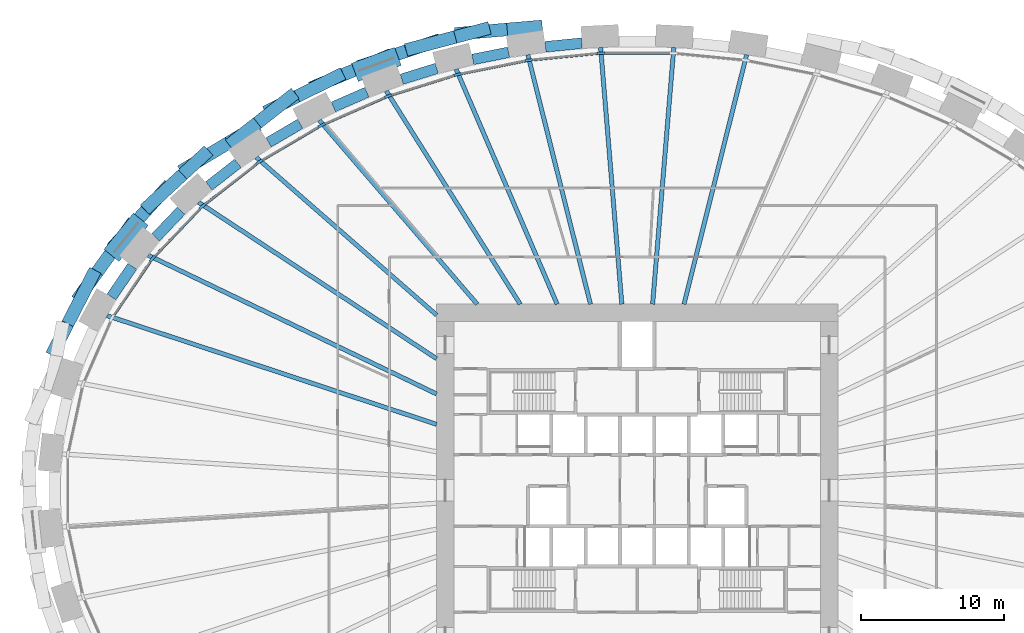
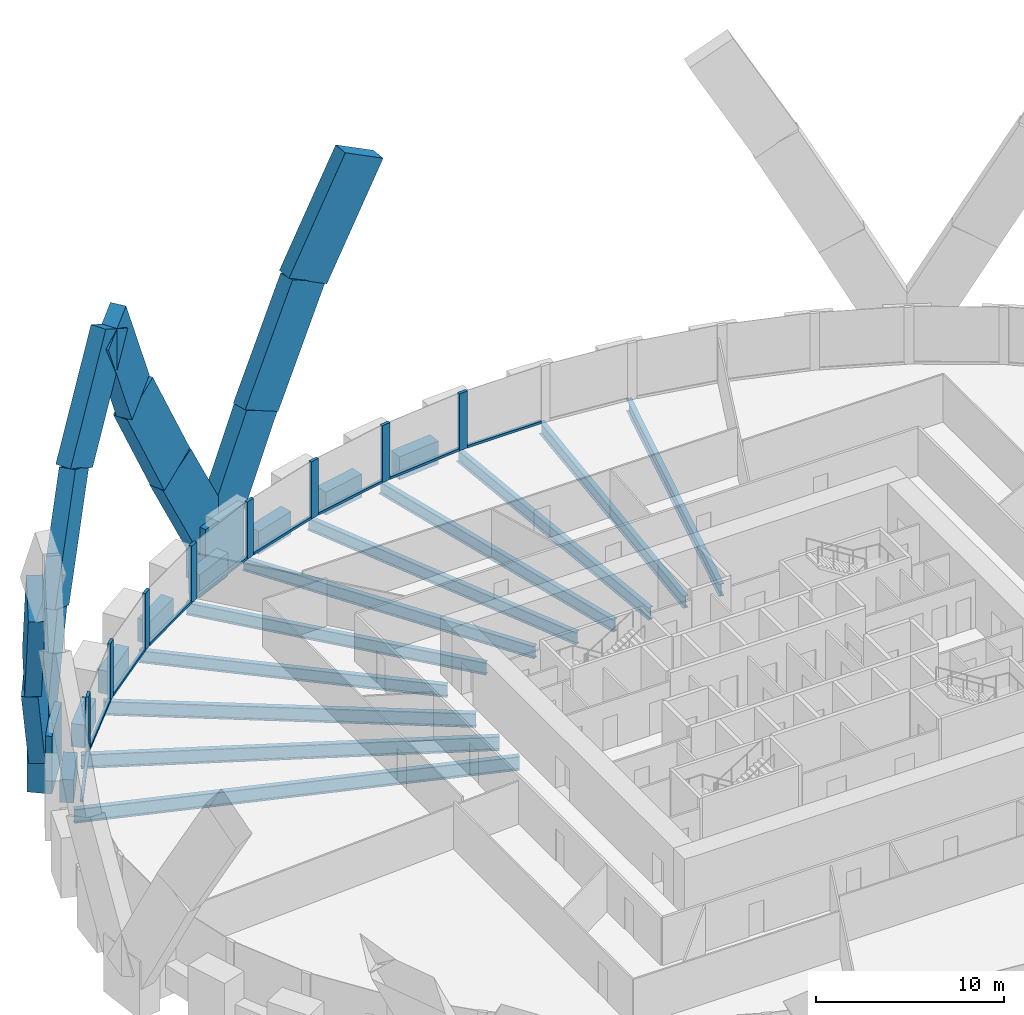
# One storey, part 3 of 12: 30 members, 19 beams, 1 element without a shape of its own.
"""IFC4 building model written with IfcOpenShell, lengths in metres."""

import ifcopenshell
import ifcopenshell.guid

model = None  # the IFC model being written
_history = None  # IfcOwnerHistory: only IFC2X3 demands one
_inside = {}  # id of a spatial element -> (the spatial element, [elements in it])
_under = {}  # id of a project, library or spatial element -> (it, [spatial elements below it])
_declared = {}  # id of a project -> (the project, [libraries it declares])
_typed = {}  # id of a type object -> (the type object, [elements of that type])
_made_of = {}  # id of a material, layer set ... -> (it, [elements and type objects made of it])


def new_model(schema):
    """Start an empty IFC model of exactly this schema.

    Asked for "IFC4X3", IfcOpenShell would pick the latest addendum, in which some entities
    have other attributes; the version numbers below select the first issue.
    IFC2X3 requires an IfcOwnerHistory on every rooted entity: one is made here for all.
    """
    global model, _history
    if schema == "IFC4X3":
        model = ifcopenshell.file(schema_version=(4, 3, 0, 0))
    else:
        model = ifcopenshell.file(schema=schema)
    _inside.clear()
    _under.clear()
    _declared.clear()
    _typed.clear()
    _made_of.clear()
    _history = None
    if model.schema == "IFC2X3":
        org = make("IfcOrganization", Name="unknown")
        user = make(
            "IfcPersonAndOrganization",
            ThePerson=make("IfcPerson", FamilyName="unknown"),
            TheOrganization=org,
        )
        app = make(
            "IfcApplication",
            ApplicationDeveloper=org,
            Version="unknown",
            ApplicationFullName="unknown",
            ApplicationIdentifier="unknown",
        )
        _history = make(
            "IfcOwnerHistory",
            OwningUser=user,
            OwningApplication=app,
            ChangeAction="ADDED",
            CreationDate=0,
        )
    return model


def make(cls, **values):
    """One entity of the class cls with the attributes given. An attribute that is None is left unset."""
    return model.create_entity(
        cls, **{name: value for name, value in values.items() if value is not None}
    )


def rooted(cls, **values):
    """An entity with a GlobalId (a new one), such as an element, a storey or a relation."""
    return make(cls, GlobalId=ifcopenshell.guid.new(), OwnerHistory=_history, **values)


def si_unit(unit_type, name, prefix=None):
    """IfcSIUnit, for example si_unit("LENGTHUNIT", "METRE", prefix="MILLI")."""
    return make("IfcSIUnit", UnitType=unit_type, Prefix=prefix, Name=name)


def assignment(units):
    """IfcUnitAssignment: the units of a project."""
    return None if units is None else make("IfcUnitAssignment", Units=units)


def point(xyz):
    """IfcCartesianPoint."""
    return None if xyz is None else make("IfcCartesianPoint", Coordinates=xyz)


def direction(xyz):
    """IfcDirection."""
    return None if xyz is None else make("IfcDirection", DirectionRatios=xyz)


def frame(location, z_axis=None, x_axis=None):
    """IfcAxis2Placement3D, a coordinate frame: its origin and axes. An axis left out is left unset."""
    return make(
        "IfcAxis2Placement3D",
        Location=point(location),
        Axis=direction(z_axis),
        RefDirection=direction(x_axis),
    )


def frame_2d(location, x_axis=None):
    """IfcAxis2Placement2D, a coordinate frame in the plane: its origin and x axis."""
    return make(
        "IfcAxis2Placement2D", Location=point(location), RefDirection=direction(x_axis)
    )


def origin():
    """The frame at (0, 0, 0) with its axes left unset."""
    return frame((0.0, 0.0, 0.0))


def origin_2d():
    """The frame at (0, 0) in the plane with its x axis left unset."""
    return frame_2d((0.0, 0.0))


def place(relative_to, where):
    """IfcLocalPlacement: puts the frame where relative to a parent placement (None: the world)."""
    return make(
        "IfcLocalPlacement", PlacementRelTo=relative_to, RelativePlacement=where
    )


def context(
    kind, dimensions, precision=None, world=None, true_north=None, identifier=None
):
    """IfcGeometricRepresentationContext, for example the 3D "Model" context."""
    return make(
        "IfcGeometricRepresentationContext",
        ContextIdentifier=identifier,
        ContextType=kind,
        CoordinateSpaceDimension=dimensions,
        Precision=precision,
        WorldCoordinateSystem=world,
        TrueNorth=true_north,
    )


def subcontext(parent, identifier, kind, view, scale=None):
    """IfcGeometricRepresentationSubContext, for example "Body" below "Model"."""
    return make(
        "IfcGeometricRepresentationSubContext",
        ContextIdentifier=identifier,
        ContextType=kind,
        ParentContext=parent,
        TargetScale=scale,
        TargetView=view,
    )


def project(units=None, contexts=None):
    """IfcProject with its units and contexts."""
    return rooted(
        "IfcProject",
        Name="project",
        RepresentationContexts=contexts,
        UnitsInContext=assignment(units),
    )


def spatial(cls, under=None, at=None, **own):
    """A site, building, storey or space (cls), placed at a placement, below another one or the project."""
    s = rooted(cls, ObjectPlacement=at, **own)
    if under is not None:
        _under.setdefault(under.id(), (under, []))[1].append(s)
    return s


def profile(cls, at=None, kind="AREA", **sizes):
    """A parametric profile (cls). Its sizes go by their IFC names, for example OverallWidth=200.0."""
    return make(cls, ProfileType=kind, Position=at, **sizes)


def rectangle(**sizes):
    """IfcRectangleProfileDef."""
    return profile("IfcRectangleProfileDef", **sizes)


def i_section(**sizes):
    """IfcIShapeProfileDef."""
    return profile("IfcIShapeProfileDef", **sizes)


def extrude(swept, where, along, depth):
    """IfcExtrudedAreaSolid: the profile swept, set in the frame where, extruded along a direction by depth."""
    return make(
        "IfcExtrudedAreaSolid",
        SweptArea=swept,
        Position=where,
        ExtrudedDirection=direction(along),
        Depth=depth,
    )


def shape(context_of_items, identifier, shape_type, items):
    """IfcShapeRepresentation: the items that make up one representation, for example the "Body"."""
    return make(
        "IfcShapeRepresentation",
        ContextOfItems=context_of_items,
        RepresentationIdentifier=identifier,
        RepresentationType=shape_type,
        Items=items,
    )


def source(mapping_origin, context_of_items, identifier, shape_type, items):
    """IfcRepresentationMap: a shape defined once, which mapped items show again and again."""
    return make(
        "IfcRepresentationMap",
        MappingOrigin=mapping_origin,
        MappedRepresentation=shape(context_of_items, identifier, shape_type, items),
    )


def transform(
    local_origin,
    x_axis=None,
    y_axis=None,
    z_axis=None,
    scale=None,
    scale2=None,
    scale3=None,
    uniform=True,
):
    """IfcCartesianTransformationOperator3D, or its non-uniform kind. x_axis, y_axis, z_axis: its Axis1, 2, 3."""
    if uniform:
        return make(
            "IfcCartesianTransformationOperator3D",
            Axis1=direction(x_axis),
            Axis2=direction(y_axis),
            LocalOrigin=point(local_origin),
            Scale=scale,
            Axis3=direction(z_axis),
        )
    return make(
        "IfcCartesianTransformationOperator3DnonUniform",
        Axis1=direction(x_axis),
        Axis2=direction(y_axis),
        LocalOrigin=point(local_origin),
        Scale=scale,
        Axis3=direction(z_axis),
        Scale2=scale2,
        Scale3=scale3,
    )


def mapped(mapping_source, mapping_target):
    """IfcMappedItem: shows the shape of a source again, moved by a transform."""
    return make(
        "IfcMappedItem", MappingSource=mapping_source, MappingTarget=mapping_target
    )


def material(Name=None, Category=None):
    """IfcMaterial."""
    return make("IfcMaterial", Name=Name, Category=Category)


def material_profile(
    of_material, cross_section, Name=None, Category=None, Priority=None
):
    """IfcMaterialProfile: a cross section and its material."""
    return make(
        "IfcMaterialProfile",
        Name=Name,
        Material=of_material,
        Profile=cross_section,
        Priority=Priority,
        Category=Category,
    )


def profile_set(profiles, Name=None, composite=None):
    """IfcMaterialProfileSet."""
    return make(
        "IfcMaterialProfileSet",
        Name=Name,
        MaterialProfiles=profiles,
        CompositeProfile=composite,
    )


def made_of(thing, what):
    """Note that an element or type object is made of a material, layer set ...; save() writes the relation."""
    if what is not None:
        _made_of.setdefault(what.id(), (what, []))[1].append(thing)
    return thing


def type_object(cls, material=None, **own):
    """A type object (cls), such as IfcWallType, which elements share."""
    return made_of(rooted(cls, **own), material)


def element(
    cls,
    number,
    at=None,
    inside=None,
    cuts=None,
    type_object=None,
    material=None,
    context=None,
    identifier="Body",
    shape_type=None,
    held_by="IfcProductDefinitionShape",
    body=None,
    shapes=None,
    **own,
):
    """One element of the class cls, such as IfcWall. Its Tag is "e" and its number.

    at: its placement. inside: the storey or other place that contains it. cuts: it is an
    opening in that element (IfcRelVoidsElement). A single representation is given by context,
    identifier, shape_type and body (its items); several are given by shapes. held_by: the class
    of the entity that holds the representations. save() writes the other relations.
    """
    e = rooted(cls, Tag="e%d" % number, ObjectPlacement=at, **own)
    if body is not None:
        shapes = [shape(context, identifier, shape_type, body)]
    if shapes is not None:
        e.Representation = make(held_by, Representations=shapes)
    if inside is not None:
        _inside.setdefault(inside.id(), (inside, []))[1].append(e)
    if cuts is not None:
        rooted(
            "IfcRelVoidsElement", RelatingBuildingElement=cuts, RelatedOpeningElement=e
        )
    if type_object is not None:
        _typed.setdefault(type_object.id(), (type_object, []))[1].append(e)
    return made_of(e, material)


def aggregate(whole, parts):
    """IfcRelAggregates: a whole, such as a stair, and the parts it consists of."""
    return rooted("IfcRelAggregates", RelatingObject=whole, RelatedObjects=parts)


def save(model, path):
    """Write the relations noted so far, then the file.

    IfcRelAggregates (storeys below a building ...), IfcRelContainedInSpatialStructure (elements
    in a storey), IfcRelDefinesByType, IfcRelAssociatesMaterial and IfcRelDeclares: one each for
    every whole, place, type object, material and project.
    """
    for whole, parts in _under.values():
        aggregate(whole, parts)
    for where, things in _inside.values():
        rooted(
            "IfcRelContainedInSpatialStructure",
            RelatedElements=things,
            RelatingStructure=where,
        )
    for kind, things in _typed.values():
        rooted("IfcRelDefinesByType", RelatedObjects=things, RelatingType=kind)
    for what, things in _made_of.values():
        rooted("IfcRelAssociatesMaterial", RelatedObjects=things, RelatingMaterial=what)
    for by, libraries in _declared.values():
        rooted("IfcRelDeclares", RelatingContext=by, RelatedDefinitions=libraries)
    model.write(path)


model = new_model("IFC4")

# Units and contexts
model_context = context("Model", 3, precision=1e-05, world=origin(), true_north=direction((0.0, 1.0)))
body_context = subcontext(model_context, "Body", "Model", "MODEL_VIEW")
ifc_project = project(units=[si_unit("LENGTHUNIT", "METRE"), si_unit("AREAUNIT", "SQUARE_METRE"), si_unit("VOLUMEUNIT", "CUBIC_METRE"), si_unit("PLANEANGLEUNIT", "RADIAN"), si_unit("MASSUNIT", "GRAM", prefix="KILO")], contexts=[model_context])

# Site, building, storey
site_placement = place(None, origin())
site = spatial("IfcSite", under=ifc_project, at=site_placement, CompositionType="ELEMENT")
building_placement = place(site_placement, origin())
building = spatial("IfcBuilding", under=site, at=building_placement, Name="Embergate Tower", CompositionType="ELEMENT")
storey_placement = place(building_placement, frame((0.0, 0.0, 85.39990234375)))
storey = spatial("IfcBuildingStorey", under=building, at=storey_placement, Name="L17", CompositionType="ELEMENT", Elevation=85.39990234375)

# Beams
ifc_material_1 = material(Name="Concrete C70", Category="concrete")
ifc_material_profile_1 = material_profile(ifc_material_1, rectangle(XDim=0.75, YDim=1.5, at=origin_2d()), Name="RC 750x1500")
ifc_profile_set_1 = profile_set([ifc_material_profile_1], Name="Concrete C70")
beam_type_1 = type_object("IfcBeamType", Name="Spandrel beam RC 750x1500 C70", PredefinedType="BEAM", material=ifc_profile_set_1)
shared_shape_1 = source(origin(), body_context, "Body", "SweptSolid", [
    extrude(rectangle(XDim=0.75, YDim=1.5, at=origin_2d()), origin(), (0.0, 0.0, 1.0), 2.574951171875),
])
beam_1_placement = place(storey_placement, frame((-35.238037109375, 15.64306640625, 0.0), z_axis=(-0.562356702599, -0.826894756932, 0.0), x_axis=(0.826894756932, -0.562356702599, 0.0)))
element("IfcBeam", 1, at=beam_1_placement, inside=storey, type_object=beam_type_1, Name="SPN-L17-18", PredefinedType="BEAM", context=body_context, shape_type="MappedRepresentation", body=[
    mapped(shared_shape_1, transform((0.0, 0.0, 0.0))),
])
shared_shape_2 = source(origin(), body_context, "Body", "SweptSolid", [
    extrude(rectangle(XDim=0.75, YDim=1.5, at=origin_2d()), origin(), (0.0, 0.0, 1.0), 2.568115234375),
])
beam_2_placement = place(storey_placement, frame((-31.83203125, 19.52392578125, 0.0), z_axis=(-0.68998268655, -0.723825871506, 0.0), x_axis=(0.723825871506, -0.68998268655, 0.0)))
element("IfcBeam", 2, at=beam_2_placement, inside=storey, type_object=beam_type_1, Name="SPN-L17-17", PredefinedType="BEAM", context=body_context, shape_type="MappedRepresentation", body=[
    mapped(shared_shape_2, transform((0.0, 0.0, 0.0))),
])
shared_shape_3 = source(origin(), body_context, "Body", "SweptSolid", [
    extrude(rectangle(XDim=0.75, YDim=1.5, at=origin_2d()), origin(), (0.0, 0.0, 1.0), 2.560791015625),
])
beam_3_placement = place(storey_placement, frame((-27.8720703125, 22.8291015625, 0.0), z_axis=(-0.788437573921, -0.615114779557, 0.0), x_axis=(0.615114779557, -0.788437573921, 0.0)))
element("IfcBeam", 3, at=beam_3_placement, inside=storey, type_object=beam_type_1, Name="SPN-L17-16", PredefinedType="BEAM", context=body_context, shape_type="MappedRepresentation", body=[
    mapped(shared_shape_3, transform((0.0, 0.0, 0.0))),
])
shared_shape_4 = source(origin(), body_context, "Body", "SweptSolid", [
    extrude(rectangle(XDim=0.75, YDim=1.5, at=origin_2d()), origin(), (0.0, 0.0, 1.0), 2.55517578125),
])
beam_4_placement = place(storey_placement, frame((-23.51904296875, 25.5859375, 0.0), z_axis=(-0.862086455961, -0.506761228241, 0.0), x_axis=(0.506761228241, -0.862086455961, 0.0)))
element("IfcBeam", 4, at=beam_4_placement, inside=storey, type_object=beam_type_1, Name="SPN-L17-15", PredefinedType="BEAM", context=body_context, shape_type="MappedRepresentation", body=[
    mapped(shared_shape_4, transform((0.0, 0.0, 0.0))),
])
shared_shape_5 = source(origin(), body_context, "Body", "SweptSolid", [
    extrude(rectangle(XDim=0.75, YDim=1.5, at=origin_2d()), origin(), (0.0, 0.0, 1.0), 2.552001953125),
])
beam_5_placement = place(storey_placement, frame((-18.864990234375, 27.791015625, 0.0), z_axis=(-0.916139768309, -0.400858983836, 0.0), x_axis=(0.400858983836, -0.916139768309, 0.0)))
element("IfcBeam", 5, at=beam_5_placement, inside=storey, type_object=beam_type_1, Name="SPN-L17-14", PredefinedType="BEAM", context=body_context, shape_type="MappedRepresentation", body=[
    mapped(shared_shape_5, transform((0.0, 0.0, 0.0))),
])
shared_shape_6 = source(origin(), body_context, "Body", "SweptSolid", [
    extrude(rectangle(XDim=0.75, YDim=1.5, at=origin_2d()), origin(), (0.0, 0.0, 1.0), 2.55029296875),
])
beam_6_placement = place(storey_placement, frame((-13.993896484375, 29.4580078125, 0.0), z_axis=(-0.954803055826, -0.297239170678, 0.0), x_axis=(0.297239170678, -0.954803055826, 0.0)))
element("IfcBeam", 6, at=beam_6_placement, inside=storey, type_object=beam_type_1, Name="SPN-L17-13", PredefinedType="BEAM", context=body_context, shape_type="MappedRepresentation", body=[
    mapped(shared_shape_6, transform((0.0, 0.0, 0.0))),
])
shared_shape_7 = source(origin(), body_context, "Body", "SweptSolid", [
    extrude(rectangle(XDim=0.75, YDim=1.5, at=origin_2d()), origin(), (0.0, 0.0, 1.0), 2.546875),
])
beam_7_placement = place(storey_placement, frame((-8.972900390625, 30.58203125, 0.0), z_axis=(-0.980462515934, -0.196706011214, 0.0), x_axis=(0.196706011214, -0.980462515934, 0.0)))
element("IfcBeam", 7, at=beam_7_placement, inside=storey, type_object=beam_type_1, Name="SPN-L17-12", PredefinedType="BEAM", context=body_context, shape_type="MappedRepresentation", body=[
    mapped(shared_shape_7, transform((0.0, 0.0, 0.0))),
])
shared_shape_8 = source(origin(), body_context, "Body", "SweptSolid", [
    extrude(rectangle(XDim=0.75, YDim=1.5, at=origin_2d()), origin(), (0.0, 0.0, 1.0), 2.544189453125),
])
beam_8_placement = place(storey_placement, frame((-3.8701171875, 31.215087890625, 0.0), z_axis=(-0.995198330328, -0.097878921698, 0.0), x_axis=(0.097878921698, -0.995198330328, 0.0)))
element("IfcBeam", 8, at=beam_8_placement, inside=storey, type_object=beam_type_1, Name="SPN-L17-11", PredefinedType="BEAM", context=body_context, shape_type="MappedRepresentation", body=[
    mapped(shared_shape_8, transform((0.0, 0.0, 0.0))),
])
ifc_material_2 = material(Name="Steel Q355B", Category="steel")
ifc_material_profile_2 = material_profile(ifc_material_2, i_section(OverallWidth=0.300048828125, OverallDepth=0.89990234375, WebThickness=0.01611328125, FlangeThickness=0.028076171875, FilletRadius=0.028076171875, at=origin_2d()), Name="HN 900x300x16x28")
ifc_profile_set_2 = profile_set([ifc_material_profile_2], Name="Steel Q355 grade B")
beam_type_2 = type_object("IfcBeamType", Name="Radial girder HN 900x300x16x28", PredefinedType="BEAM", material=ifc_profile_set_2)
shared_shape_9 = source(origin(), body_context, "Body", "SweptSolid", [
    extrude(i_section(OverallWidth=0.300048828125, OverallDepth=0.89990234375, WebThickness=0.01611328125, FlangeThickness=0.028076171875, FilletRadius=0.028076171875, at=origin_2d()), origin(), (0.0, 0.0, 1.0), 24.221435546875),
])
beam_9_placement = place(storey_placement, frame((-37.0029296875, 12.202880859375, -0.64990234375), z_axis=(0.949690422, -0.313190201575, 0.0), x_axis=(0.313190201575, 0.949690422, 0.0)))
element("IfcBeam", 9, at=beam_9_placement, inside=storey, type_object=beam_type_2, Name="GIR-L17-19", PredefinedType="BEAM", context=body_context, shape_type="MappedRepresentation", body=[
    mapped(shared_shape_9, transform((0.0, 0.0, 0.0))),
])
shared_shape_10 = source(origin(), body_context, "Body", "SweptSolid", [
    extrude(i_section(OverallWidth=0.300048828125, OverallDepth=0.89990234375, WebThickness=0.01611328125, FlangeThickness=0.028076171875, FilletRadius=0.028076171875, at=origin_2d()), origin(), (0.0, 0.0, 1.0), 22.343505859375),
])
beam_10_placement = place(storey_placement, frame((-34.135009765625, 16.4208984375, -0.64990234375), z_axis=(0.901156313857, -0.433494288308, 0.0), x_axis=(0.433494288308, 0.901156313857, 0.0)))
element("IfcBeam", 10, at=beam_10_placement, inside=storey, type_object=beam_type_2, Name="GIR-L17-18", PredefinedType="BEAM", context=body_context, shape_type="MappedRepresentation", body=[
    mapped(shared_shape_10, transform((0.0, 0.0, 0.0))),
])
shared_shape_11 = source(origin(), body_context, "Body", "SweptSolid", [
    extrude(i_section(OverallWidth=0.300048828125, OverallDepth=0.89990234375, WebThickness=0.01611328125, FlangeThickness=0.028076171875, FilletRadius=0.028076171875, at=origin_2d()), origin(), (0.0, 0.0, 1.0), 19.8779296875),
])
beam_11_placement = place(storey_placement, frame((-30.613037109375, 20.113037109375, -0.64990234375), z_axis=(0.835753953274, -0.549104115434, 0.0), x_axis=(0.549104115434, 0.835753953274, 0.0)))
element("IfcBeam", 11, at=beam_11_placement, inside=storey, type_object=beam_type_2, Name="GIR-L17-17", PredefinedType="BEAM", context=body_context, shape_type="MappedRepresentation", body=[
    mapped(shared_shape_11, transform((0.0, 0.0, 0.0))),
])
ifc_material_profile_3 = material_profile(ifc_material_2, i_section(OverallWidth=0.300048828125, OverallDepth=0.800048828125, WebThickness=0.013916015625, FlangeThickness=0.02587890625, FilletRadius=0.028076171875, at=origin_2d()), Name="HN 800x300x14x26")
ifc_profile_set_3 = profile_set([ifc_material_profile_3], Name="Steel Q355 grade B")
beam_type_3 = type_object("IfcBeamType", Name="Radial girder HN 800x300x14x26", PredefinedType="BEAM", material=ifc_profile_set_3)
shared_shape_12 = source(origin(), body_context, "Body", "SweptSolid", [
    extrude(i_section(OverallWidth=0.300048828125, OverallDepth=0.800048828125, WebThickness=0.013916015625, FlangeThickness=0.02587890625, FilletRadius=0.028076171875, at=origin_2d()), origin(), (0.0, 0.0, 1.0), 16.72509765625),
])
beam_12_placement = place(storey_placement, frame((-26.590087890625, 23.2529296875, -0.599853515625), z_axis=(0.752763844536, -0.658290660999, 0.0), x_axis=(0.658290660999, 0.752763844536, 0.0)))
element("IfcBeam", 12, at=beam_12_placement, inside=storey, type_object=beam_type_3, Name="GIR-L17-16", PredefinedType="BEAM", context=body_context, shape_type="MappedRepresentation", body=[
    mapped(shared_shape_12, transform((0.0, 0.0, 0.0))),
])
shared_shape_13 = source(origin(), body_context, "Body", "SweptSolid", [
    extrude(i_section(OverallWidth=0.300048828125, OverallDepth=0.800048828125, WebThickness=0.013916015625, FlangeThickness=0.02587890625, FilletRadius=0.028076171875, at=origin_2d()), origin(), (0.0, 0.0, 1.0), 16.924560546875),
])
beam_13_placement = place(storey_placement, frame((-22.18994140625, 25.840087890625, -0.599853515625), z_axis=(0.651475377488, -0.758669778314, 0.0), x_axis=(0.758669778314, 0.651475377488, 0.0)))
element("IfcBeam", 13, at=beam_13_placement, inside=storey, type_object=beam_type_3, Name="GIR-L17-15", PredefinedType="BEAM", context=body_context, shape_type="MappedRepresentation", body=[
    mapped(shared_shape_13, transform((0.0, 0.0, 0.0))),
])
shared_shape_14 = source(origin(), body_context, "Body", "SweptSolid", [
    extrude(i_section(OverallWidth=0.300048828125, OverallDepth=0.800048828125, WebThickness=0.013916015625, FlangeThickness=0.02587890625, FilletRadius=0.028076171875, at=origin_2d()), origin(), (0.0, 0.0, 1.0), 17.578125),
])
beam_14_placement = place(storey_placement, frame((-17.512939453125, 27.885986328125, -0.599853515625), z_axis=(0.53184411478, -0.846842274319, 0.0), x_axis=(0.846842274319, 0.53184411478, 0.0)))
element("IfcBeam", 14, at=beam_14_placement, inside=storey, type_object=beam_type_3, Name="GIR-L17-14", PredefinedType="BEAM", context=body_context, shape_type="MappedRepresentation", body=[
    mapped(shared_shape_14, transform((0.0, 0.0, 0.0))),
])
shared_shape_15 = source(origin(), body_context, "Body", "SweptSolid", [
    extrude(i_section(OverallWidth=0.300048828125, OverallDepth=0.800048828125, WebThickness=0.013916015625, FlangeThickness=0.02587890625, FilletRadius=0.028076171875, at=origin_2d()), origin(), (0.0, 0.0, 1.0), 17.854248046875),
])
beam_15_placement = place(storey_placement, frame((-12.638916015625, 29.403076171875, -0.599853515625), z_axis=(0.394919154383, -0.918715876374, 0.0), x_axis=(0.918715876374, 0.394919154383, 0.0)))
element("IfcBeam", 15, at=beam_15_placement, inside=storey, type_object=beam_type_3, Name="GIR-L17-13", PredefinedType="BEAM", context=body_context, shape_type="MappedRepresentation", body=[
    mapped(shared_shape_15, transform((0.0, 0.0, 0.0))),
])
shared_shape_16 = source(origin(), body_context, "Body", "SweptSolid", [
    extrude(i_section(OverallWidth=0.300048828125, OverallDepth=0.800048828125, WebThickness=0.013916015625, FlangeThickness=0.02587890625, FilletRadius=0.028076171875, at=origin_2d()), origin(), (0.0, 0.0, 1.0), 17.947265625),
])
for number, where, z_axis, x_axis, name in (
    (16, (7.633056640625, 30.406982421875, -0.599853515625), (-0.243498938638, -0.969901163461, 0.0), (0.969901163461, -0.243498938638, 0.0), "GIR-L17-09"),
    (17, (-7.633056640625, 30.406982421875, -0.599853515625), (0.243498938638, -0.969901163461, 0.0), (0.969901163461, 0.243498938638, 0.0), "GIR-L17-12"),
):
    element("IfcBeam", number, at=place(storey_placement, frame(where, z_axis=z_axis, x_axis=x_axis)), inside=storey, type_object=beam_type_3, Name=name, PredefinedType="BEAM", context=body_context, shape_type="MappedRepresentation", body=[
        mapped(shared_shape_16, transform((0.0, 0.0, 0.0))),
    ])
shared_shape_17 = source(origin(), body_context, "Body", "SweptSolid", [
    extrude(i_section(OverallWidth=0.300048828125, OverallDepth=0.800048828125, WebThickness=0.013916015625, FlangeThickness=0.02587890625, FilletRadius=0.028076171875, at=origin_2d()), origin(), (0.0, 0.0, 1.0), 17.968017578125),
])
for number, where, z_axis, x_axis, name in (
    (18, (2.552978515625, 30.906982421875, -0.599853515625), (-0.082313416138, -0.996606492816, 0.0), (0.996606492816, -0.082313416138, 0.0), "GIR-L17-10"),
    (19, (-2.552978515625, 30.906982421875, -0.599853515625), (0.082313416138, -0.996606492816, 0.0), (0.996606492816, 0.082313416138, 0.0), "GIR-L17-11"),
):
    element("IfcBeam", number, at=place(storey_placement, frame(where, z_axis=z_axis, x_axis=x_axis)), inside=storey, type_object=beam_type_3, Name=name, PredefinedType="BEAM", context=body_context, shape_type="MappedRepresentation", body=[
        mapped(shared_shape_17, transform((0.0, 0.0, 0.0))),
    ])

# Members
ifc_material_profile_4 = material_profile(ifc_material_1, rectangle(XDim=1.35009765625, YDim=3.199951171875, at=origin_2d()), Name="RC 1350x3200")
ifc_profile_set_4 = profile_set([ifc_material_profile_4], Name="Concrete C70")
member_type_1 = type_object("IfcMemberType", Name="Lattice node block RC 1350x3200", PredefinedType="POST", material=ifc_profile_set_4)
shared_shape_18 = source(origin(), body_context, "Body", "SweptSolid", [
    extrude(rectangle(XDim=1.35009765625, YDim=3.199951171875, at=origin_2d()), origin(), (0.0, 0.0, 1.0), 3.699951171875),
])
member_1_placement = place(storey_placement, frame((-18.200927734375, 29.737060546875, -1.849853515625), z_axis=(0.0, 0.0, 1.0), x_axis=(-0.348343015724, 0.93736713373, 0.0)))
element("IfcMember", 20, at=member_1_placement, inside=storey, type_object=member_type_1, Name="NOD-L17-14", PredefinedType="POST", context=body_context, shape_type="MappedRepresentation", body=[
    mapped(shared_shape_18, transform((0.0, 0.0, 0.0))),
])
ifc_material_profile_5 = material_profile(ifc_material_1, rectangle(XDim=1.35009765625, YDim=3.25, at=origin_2d()), Name="RC 1350x3250")
ifc_profile_set_5 = profile_set([ifc_material_profile_5], Name="Concrete C70")
member_type_2 = type_object("IfcMemberType", Name="Lattice node block RC 1350x3250", PredefinedType="POST", material=ifc_profile_set_5)
shared_shape_19 = source(origin(), body_context, "Body", "SweptSolid", [
    extrude(rectangle(XDim=1.35009765625, YDim=3.25, at=origin_2d()), origin(), (0.0, 0.0, 1.0), 3.75),
])
member_2_placement = place(storey_placement, frame((-35.6669921875, 17.6669921875, -1.875), z_axis=(0.0, 0.0, 1.0), x_axis=(-0.775914301615, 0.630838328377, 0.0)))
element("IfcMember", 21, at=member_2_placement, inside=storey, type_object=member_type_2, Name="NOD-L17-18", PredefinedType="POST", context=body_context, shape_type="MappedRepresentation", body=[
    mapped(shared_shape_19, transform((0.0, 0.0, 0.0))),
])
ifc_material_profile_6 = material_profile(ifc_material_1, rectangle(XDim=0.89990234375, YDim=2.800048828125, at=origin_2d()), Name="RC 900x2800")
ifc_profile_set_6 = profile_set([ifc_material_profile_6], Name="Concrete C70")
member_type_3 = type_object("IfcMemberType", Name="Lattice diagonal terracotta-faced RC 900x2800", PredefinedType="BRACE", material=ifc_profile_set_6)
shared_shape_20 = source(origin(), body_context, "Body", "SweptSolid", [
    extrude(rectangle(XDim=0.89990234375, YDim=2.800048828125, at=origin_2d()), origin(), (0.0, 0.0, 1.0), 7.5693359375),
])
member_3_placement = place(storey_placement, frame((-18.280029296875, 29.947998046875, 0.0), z_axis=(0.441648827596, 0.146366930521, 0.88516836519), x_axis=(-0.314584354566, 0.949229521171, 0.0)))
element("IfcMember", 22, at=member_3_placement, inside=storey, type_object=member_type_3, Name="BRC-L17-14-12-S00", PredefinedType="BRACE", context=body_context, shape_type="MappedRepresentation", body=[
    mapped(shared_shape_20, transform((0.0, 0.0, 0.0))),
])
shared_shape_21 = source(origin(), body_context, "Body", "SweptSolid", [
    extrude(rectangle(XDim=0.89990234375, YDim=2.800048828125, at=origin_2d()), origin(), (0.0, 0.0, 1.0), 7.58544921875),
])
member_4_placement = place(storey_placement, frame((-14.93701171875, 31.055908203125, 6.7001953125), z_axis=(0.453240721789, 0.119988738164, 0.883275467125), x_axis=(-0.255918976025, 0.966698235082, 0.0)))
element("IfcMember", 23, at=member_4_placement, inside=storey, type_object=member_type_3, Name="BRC-L17-14-12-S01", PredefinedType="BRACE", context=body_context, shape_type="MappedRepresentation", body=[
    mapped(shared_shape_21, transform((0.0, 0.0, 0.0))),
])
shared_shape_22 = source(origin(), body_context, "Body", "SweptSolid", [
    extrude(rectangle(XDim=0.89990234375, YDim=2.800048828125, at=origin_2d()), origin(), (0.0, 0.0, 1.0), 7.6337890625),
])
member_5_placement = place(storey_placement, frame((-11.4990234375, 31.966064453125, 13.400146484375), z_axis=(0.477487625233, 0.041128538918, 0.877675344894), x_axis=(-0.085817533798, 0.996310870609, 0.0)))
element("IfcMember", 24, at=member_5_placement, inside=storey, type_object=member_type_3, Name="BRC-L17-14-12-S02", PredefinedType="BRACE", context=body_context, shape_type="MappedRepresentation", body=[
    mapped(shared_shape_22, transform((0.0, 0.0, 0.0))),
])
shared_shape_23 = source(origin(), body_context, "Body", "SweptSolid", [
    extrude(rectangle(XDim=0.89990234375, YDim=2.800048828125, at=origin_2d()), origin(), (0.0, 0.0, 1.0), 7.623779296875),
])
member_6_placement = place(storey_placement, frame((-18.280029296875, 29.947998046875, 0.0), z_axis=(-0.440574462446, -0.183108357048, 0.878843258277), x_axis=(0.383785973195, -0.923422074015, 0.0)))
element("IfcMember", 25, at=member_6_placement, inside=storey, type_object=member_type_3, Name="BRC-L17-14-16-S00", PredefinedType="BRACE", context=body_context, shape_type="MappedRepresentation", body=[
    mapped(shared_shape_23, transform((0.0, 0.0, 0.0))),
])
shared_shape_24 = source(origin(), body_context, "Body", "SweptSolid", [
    extrude(rectangle(XDim=0.89990234375, YDim=2.800048828125, at=origin_2d()), origin(), (0.0, 0.0, 1.0), 7.6015625),
])
member_7_placement = place(storey_placement, frame((-21.638916015625, 28.552001953125, 6.7001953125), z_axis=(-0.422695725194, -0.210882161813, 0.881394938567), x_axis=(0.446424733409, -0.894821187389, 0.0)))
element("IfcMember", 26, at=member_7_placement, inside=storey, type_object=member_type_3, Name="BRC-L17-14-16-S01", PredefinedType="BRACE", context=body_context, shape_type="MappedRepresentation", body=[
    mapped(shared_shape_24, transform((0.0, 0.0, 0.0))),
])
shared_shape_25 = source(origin(), body_context, "Body", "SweptSolid", [
    extrude(rectangle(XDim=0.89990234375, YDim=2.800048828125, at=origin_2d()), origin(), (0.0, 0.0, 1.0), 7.4912109375),
])
member_8_placement = place(storey_placement, frame((-24.85205078125, 26.948974609375, 13.400146484375), z_axis=(-0.352398367643, -0.275517969116, 0.89437421652), x_axis=(0.615931009922, -0.787800095847, 0.0)))
element("IfcMember", 27, at=member_8_placement, inside=storey, type_object=member_type_3, Name="BRC-L17-14-16-S02", PredefinedType="BRACE", context=body_context, shape_type="MappedRepresentation", body=[
    mapped(shared_shape_25, transform((0.0, 0.0, 0.0))),
])
shared_shape_26 = source(origin(), body_context, "Body", "SweptSolid", [
    extrude(rectangle(XDim=0.89990234375, YDim=2.800048828125, at=origin_2d()), origin(), (0.0, 0.0, 1.0), 7.5791015625),
])
member_9_placement = place(storey_placement, frame((-35.841064453125, 17.80908203125, 0.0), z_axis=(0.313357289394, 0.346857657504, 0.884023175383), x_axis=(-0.742031871729, 0.670364603286, 0.0)))
element("IfcMember", 28, at=member_9_placement, inside=storey, type_object=member_type_3, Name="BRC-L17-18-16-S00", PredefinedType="BRACE", context=body_context, shape_type="MappedRepresentation", body=[
    mapped(shared_shape_26, transform((0.0, 0.0, 0.0))),
])
shared_shape_27 = source(origin(), body_context, "Body", "SweptSolid", [
    extrude(rectangle(XDim=0.89990234375, YDim=2.800048828125, at=origin_2d()), origin(), (0.0, 0.0, 1.0), 7.61083984375),
])
member_10_placement = place(storey_placement, frame((-33.466064453125, 20.43798828125, 6.7001953125), z_axis=(0.348462393358, 0.321901879531, 0.880314228199), x_axis=(-0.678558091992, 0.734546741734, 0.0)))
element("IfcMember", 29, at=member_10_placement, inside=storey, type_object=member_type_3, Name="BRC-L17-18-16-S01", PredefinedType="BRACE", context=body_context, shape_type="MappedRepresentation", body=[
    mapped(shared_shape_27, transform((0.0, 0.0, 0.0))),
])
shared_shape_28 = source(origin(), body_context, "Body", "SweptSolid", [
    extrude(rectangle(XDim=0.89990234375, YDim=2.800048828125, at=origin_2d()), origin(), (0.0, 0.0, 1.0), 7.740478515625),
])
member_11_placement = place(storey_placement, frame((-30.81396484375, 22.887939453125, 13.400146484375), z_axis=(0.429180743858, 0.258006796851, 0.86558441638), x_axis=(-0.515227319823, 0.85705356245, 0.0)))
element("IfcMember", 30, at=member_11_placement, inside=storey, type_object=member_type_3, Name="BRC-L17-18-16-S02", PredefinedType="BRACE", context=body_context, shape_type="MappedRepresentation", body=[
    mapped(shared_shape_28, transform((0.0, 0.0, 0.0))),
])
shared_shape_29 = source(origin(), body_context, "Body", "SweptSolid", [
    extrude(rectangle(XDim=0.89990234375, YDim=2.800048828125, at=origin_2d()), origin(), (0.0, 0.0, 1.0), 8.93505859375),
])
member_12_placement = place(storey_placement, frame((-35.841064453125, 17.80908203125, 0.0), z_axis=(-0.284936759365, -0.395873012052, 0.872980871206), x_axis=(0.811623586829, -0.584180753965, 0.0)))
element("IfcMember", 31, at=member_12_placement, inside=storey, type_object=member_type_3, Name="BRC-L17-18-20-S00", PredefinedType="BRACE", context=body_context, shape_type="MappedRepresentation", body=[
    mapped(shared_shape_29, transform((0.0, 0.0, 0.0))),
])
shared_shape_30 = source(origin(), body_context, "Body", "SweptSolid", [
    extrude(rectangle(XDim=0.89990234375, YDim=2.800048828125, at=origin_2d()), origin(), (0.0, 0.0, 1.0), 8.85693359375),
])
member_13_placement = place(storey_placement, frame((-38.386962890625, 14.27197265625, 7.800048828125), z_axis=(-0.216768243245, -0.42124266191, 0.880662335125), x_axis=(0.889176891153, -0.457563608954, 0.0)))
element("IfcMember", 32, at=member_13_placement, inside=storey, type_object=member_type_3, Name="BRC-L17-18-20-S01", PredefinedType="BRACE", context=body_context, shape_type="MappedRepresentation", body=[
    mapped(shared_shape_30, transform((0.0, 0.0, 0.0))),
])

# Curtain wall, members
ifc_material_3 = material(Name="Aluminium and glass", Category="aluminium")
curtain_wall_type = type_object("IfcCurtainWallType", Name="Recessed office glazing", PredefinedType="NOTDEFINED", material=ifc_material_3)
curtain_wall_placement = place(storey_placement, origin())
curtain_wall = element("IfcCurtainWall", 33, at=curtain_wall_placement, inside=storey, type_object=curtain_wall_type, Name="Recessed office glazing ring", ObjectType="RECESSED OFFICE GLAZING", PredefinedType="USERDEFINED")
ifc_material_4 = material(Name="Aluminium, thermally broken", Category="aluminium")
ifc_material_profile_7 = material_profile(ifc_material_4, rectangle(XDim=0.179931640625, YDim=0.52001953125, at=origin_2d()), Name="AL 520x180")
ifc_profile_set_7 = profile_set([ifc_material_profile_7], Name="Aluminium, thermally broken")
member_type_4 = type_object("IfcMemberType", Name="Office mullion", PredefinedType="MULLION", material=ifc_profile_set_7)
shared_shape_31 = source(origin(), body_context, "Body", "SweptSolid", [
    extrude(rectangle(XDim=0.179931640625, YDim=0.52001953125, at=origin_2d()), origin(), (0.0, 0.0, 1.0), 3.7001953125),
])
member_14_placement = place(storey_placement, frame((-2.53369140625, 30.51708984375, 0.0), z_axis=(0.0, 0.0, 1.0), x_axis=(0.048971796621, -0.998800161762, 0.0)))
member_14 = element("IfcMember", 34, at=member_14_placement, type_object=member_type_4, Name="CW mullion 12", PredefinedType="MULLION", context=body_context, shape_type="MappedRepresentation", body=[
    mapped(shared_shape_31, transform((0.0, 0.0, 0.0))),
])
member_15_placement = place(storey_placement, frame((-7.576171875, 30.021484375, 0.0), z_axis=(0.0, 0.0, 1.0), x_axis=(0.147412382818, -0.989075118174, 0.0)))
member_15 = element("IfcMember", 35, at=member_15_placement, type_object=member_type_4, Name="CW mullion 13", PredefinedType="MULLION", context=body_context, shape_type="MappedRepresentation", body=[
    mapped(shared_shape_31, transform((0.0, 0.0, 0.0))),
])
member_16_placement = place(storey_placement, frame((-12.54296875, 29.025390625, 0.0), z_axis=(0.0, 0.0, 1.0), x_axis=(0.24731188137, -0.968935928394, 0.0)))
member_16 = element("IfcMember", 36, at=member_16_placement, type_object=member_type_4, Name="CW mullion 14", PredefinedType="MULLION", context=body_context, shape_type="MappedRepresentation", body=[
    mapped(shared_shape_31, transform((0.0, 0.0, 0.0))),
])
member_17_placement = place(storey_placement, frame((-17.377197265625, 27.519775390625, 0.0), z_axis=(0.0, 0.0, 1.0), x_axis=(0.349502682851, -0.936935363128, 0.0)))
member_17 = element("IfcMember", 37, at=member_17_placement, type_object=member_type_4, Name="CW mullion 15", PredefinedType="MULLION", context=body_context, shape_type="MappedRepresentation", body=[
    mapped(shared_shape_31, transform((0.0, 0.0, 0.0))),
])
member_18_placement = place(storey_placement, frame((-22.013427734375, 25.49267578125, 0.0), z_axis=(0.0, 0.0, 1.0), x_axis=(0.454511380526, -0.890740930334, 0.0)))
member_18 = element("IfcMember", 38, at=member_18_placement, type_object=member_type_4, Name="CW mullion 16", PredefinedType="MULLION", context=body_context, shape_type="MappedRepresentation", body=[
    mapped(shared_shape_31, transform((0.0, 0.0, 0.0))),
])
member_19_placement = place(storey_placement, frame((-26.37158203125, 22.930419921875, 0.0), z_axis=(0.0, 0.0, 1.0), x_axis=(0.562217618544, -0.826989328467, 0.0)))
member_19 = element("IfcMember", 39, at=member_19_placement, type_object=member_type_4, Name="CW mullion 17", PredefinedType="MULLION", context=body_context, shape_type="MappedRepresentation", body=[
    mapped(shared_shape_31, transform((0.0, 0.0, 0.0))),
])
member_20_placement = place(storey_placement, frame((-30.352294921875, 19.823486328125, 0.0), z_axis=(0.0, 0.0, 1.0), x_axis=(0.671229121411, -0.741249935292, 0.0)))
member_20 = element("IfcMember", 40, at=member_20_placement, type_object=member_type_4, Name="CW mullion 18", PredefinedType="MULLION", context=body_context, shape_type="MappedRepresentation", body=[
    mapped(shared_shape_31, transform((0.0, 0.0, 0.0))),
])
member_21_placement = place(storey_placement, frame((-33.831787109375, 16.1748046875, 0.0), z_axis=(0.0, 0.0, 1.0), x_axis=(0.777875854755, -0.628417977615, 0.0)))
member_21 = element("IfcMember", 41, at=member_21_placement, type_object=member_type_4, Name="CW mullion 19", PredefinedType="MULLION", context=body_context, shape_type="MappedRepresentation", body=[
    mapped(shared_shape_31, transform((0.0, 0.0, 0.0))),
])
ifc_material_profile_8 = material_profile(ifc_material_4, rectangle(XDim=0.179931640625, YDim=0.14990234375, at=origin_2d()), Name="AL 150x180")
ifc_profile_set_8 = profile_set([ifc_material_profile_8], Name="Aluminium, thermally broken")
member_type_5 = type_object("IfcMemberType", Name="Office sill transom", PredefinedType="USERDEFINED", material=ifc_profile_set_8)
shared_shape_32 = source(origin(), body_context, "Body", "SweptSolid", [
    extrude(rectangle(XDim=0.179931640625, YDim=0.14990234375, at=origin_2d()), origin(), (0.0, 0.0, 1.0), 4.529296875),
])
member_22_placement = place(storey_placement, frame((-26.57666015625, 22.7705078125, 0.0751953125), z_axis=(-0.788306218653, -0.615283110148, 0.0), x_axis=(0.615283110148, -0.788306218653, 0.0)))
member_22 = element("IfcMember", 42, at=member_22_placement, type_object=member_type_5, Name="CW transom 17.1", ObjectType="TRANSOM", PredefinedType="USERDEFINED", context=body_context, shape_type="MappedRepresentation", body=[
    mapped(shared_shape_32, transform((0.0, 0.0, 0.0))),
])
shared_shape_33 = source(origin(), body_context, "Body", "SweptSolid", [
    extrude(rectangle(XDim=0.179931640625, YDim=0.14990234375, at=origin_2d()), origin(), (0.0, 0.0, 1.0), 4.51318359375),
])
member_23_placement = place(storey_placement, frame((-33.97802734375, 15.9599609375, 0.0751953125), z_axis=(-0.562329256749, -0.82691342171, 0.0), x_axis=(0.82691342171, -0.562329256749, 0.0)))
member_23 = element("IfcMember", 43, at=member_23_placement, type_object=member_type_5, Name="CW transom 19.1", ObjectType="TRANSOM", PredefinedType="USERDEFINED", context=body_context, shape_type="MappedRepresentation", body=[
    mapped(shared_shape_33, transform((0.0, 0.0, 0.0))),
])
shared_shape_34 = source(origin(), body_context, "Body", "SweptSolid", [
    extrude(rectangle(XDim=0.179931640625, YDim=0.14990234375, at=origin_2d()), origin(), (0.0, 0.0, 1.0), 4.52197265625),
])
member_24_placement = place(storey_placement, frame((-30.531494140625, 19.635498046875, 0.0751953125), z_axis=(-0.690144384651, -0.723671699277, 0.0), x_axis=(0.723671699277, -0.690144384651, 0.0)))
member_24 = element("IfcMember", 44, at=member_24_placement, type_object=member_type_5, Name="CW transom 18.1", ObjectType="TRANSOM", PredefinedType="USERDEFINED", context=body_context, shape_type="MappedRepresentation", body=[
    mapped(shared_shape_34, transform((0.0, 0.0, 0.0))),
])
shared_shape_35 = source(origin(), body_context, "Body", "SweptSolid", [
    extrude(rectangle(XDim=0.179931640625, YDim=0.14990234375, at=origin_2d()), origin(), (0.0, 0.0, 1.0), 4.535400390625),
])
member_25_placement = place(storey_placement, frame((-22.23779296875, 25.36083984375, 0.0751953125), z_axis=(-0.862028298447, -0.506860151004, 0.0), x_axis=(0.506860151004, -0.862028298447, 0.0)))
member_25 = element("IfcMember", 45, at=member_25_placement, type_object=member_type_5, Name="CW transom 16.1", ObjectType="TRANSOM", PredefinedType="USERDEFINED", context=body_context, shape_type="MappedRepresentation", body=[
    mapped(shared_shape_35, transform((0.0, 0.0, 0.0))),
])
shared_shape_36 = source(origin(), body_context, "Body", "SweptSolid", [
    extrude(rectangle(XDim=0.179931640625, YDim=0.14990234375, at=origin_2d()), origin(), (0.0, 0.0, 1.0), 4.540283203125),
])
member_26_placement = place(storey_placement, frame((-17.615478515625, 27.415771484375, 0.0751953125), z_axis=(-0.91622766565, -0.400658039601, 0.0), x_axis=(0.400658039601, -0.91622766565, 0.0)))
member_26 = element("IfcMember", 46, at=member_26_placement, type_object=member_type_5, Name="CW transom 15.1", ObjectType="TRANSOM", PredefinedType="USERDEFINED", context=body_context, shape_type="MappedRepresentation", body=[
    mapped(shared_shape_36, transform((0.0, 0.0, 0.0))),
])
shared_shape_37 = source(origin(), body_context, "Body", "SweptSolid", [
    extrude(rectangle(XDim=0.179931640625, YDim=0.14990234375, at=origin_2d()), origin(), (0.0, 0.0, 1.0), 4.54345703125),
])
member_27_placement = place(storey_placement, frame((-12.791259765625, 28.947998046875, 0.0751953125), z_axis=(-0.954777820435, -0.297320220648, 0.0), x_axis=(0.297320220648, -0.954777820435, 0.0)))
member_27 = element("IfcMember", 47, at=member_27_placement, type_object=member_type_5, Name="CW transom 14.1", ObjectType="TRANSOM", PredefinedType="USERDEFINED", context=body_context, shape_type="MappedRepresentation", body=[
    mapped(shared_shape_37, transform((0.0, 0.0, 0.0))),
])
shared_shape_38 = source(origin(), body_context, "Body", "SweptSolid", [
    extrude(rectangle(XDim=0.179931640625, YDim=0.14990234375, at=origin_2d()), origin(), (0.0, 0.0, 1.0), 4.54541015625),
])
member_28_placement = place(storey_placement, frame((-7.831298828125, 29.97021484375, 0.0751953125), z_axis=(-0.980477251105, -0.196632550879, 0.0), x_axis=(0.196632550879, -0.980477251105, 0.0)))
member_28 = element("IfcMember", 48, at=member_28_placement, type_object=member_type_5, Name="CW transom 13.1", ObjectType="TRANSOM", PredefinedType="USERDEFINED", context=body_context, shape_type="MappedRepresentation", body=[
    mapped(shared_shape_38, transform((0.0, 0.0, 0.0))),
])
shared_shape_39 = source(origin(), body_context, "Body", "SweptSolid", [
    extrude(rectangle(XDim=0.179931640625, YDim=0.14990234375, at=origin_2d()), origin(), (0.0, 0.0, 1.0), 4.546630859375),
])
member_29_placement = place(storey_placement, frame((-2.79248046875, 30.49169921875, 0.0751953125), z_axis=(-0.995202726131, -0.097834216414, 0.0), x_axis=(0.097834216414, -0.995202726131, 0.0)))
member_29 = element("IfcMember", 49, at=member_29_placement, type_object=member_type_5, Name="CW transom 12.1", ObjectType="TRANSOM", PredefinedType="USERDEFINED", context=body_context, shape_type="MappedRepresentation", body=[
    mapped(shared_shape_39, transform((0.0, 0.0, 0.0))),
])
shared_shape_40 = source(origin(), body_context, "Body", "SweptSolid", [
    extrude(rectangle(XDim=0.179931640625, YDim=0.14990234375, at=origin_2d()), origin(), (0.0, 0.0, 1.0), 4.54736328125),
])
member_30_placement = place(storey_placement, frame((2.273681640625, 30.51708984375, 0.0751953125), z_axis=(-1.0, 0.0, 0.0), x_axis=(0.0, -1.0, 0.0)))
member_30 = element("IfcMember", 50, at=member_30_placement, type_object=member_type_5, Name="CW transom 11.1", ObjectType="TRANSOM", PredefinedType="USERDEFINED", context=body_context, shape_type="MappedRepresentation", body=[
    mapped(shared_shape_40, transform((0.0, 0.0, 0.0))),
])
aggregate(curtain_wall, [member_14, member_15, member_16, member_17, member_18, member_19, member_20, member_21, member_30, member_29, member_28, member_27, member_26, member_25, member_22, member_24, member_23])

save(model, "model.ifc")
